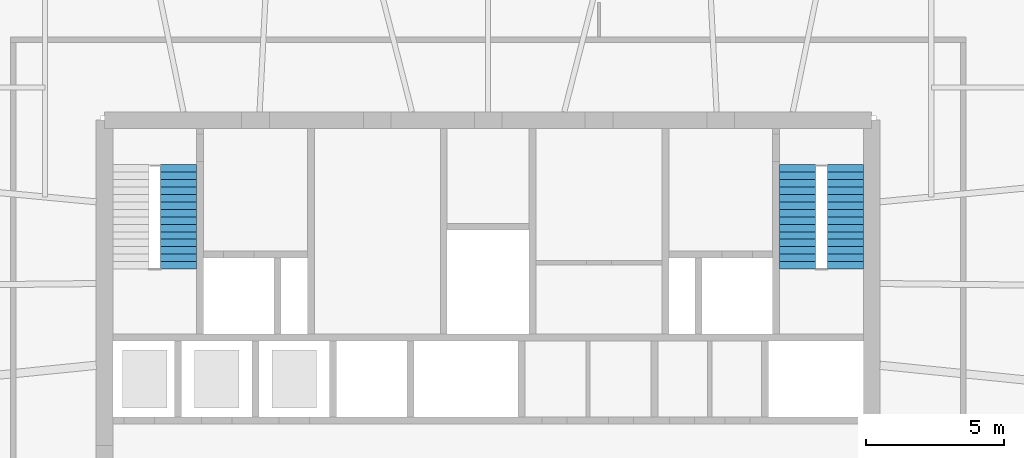
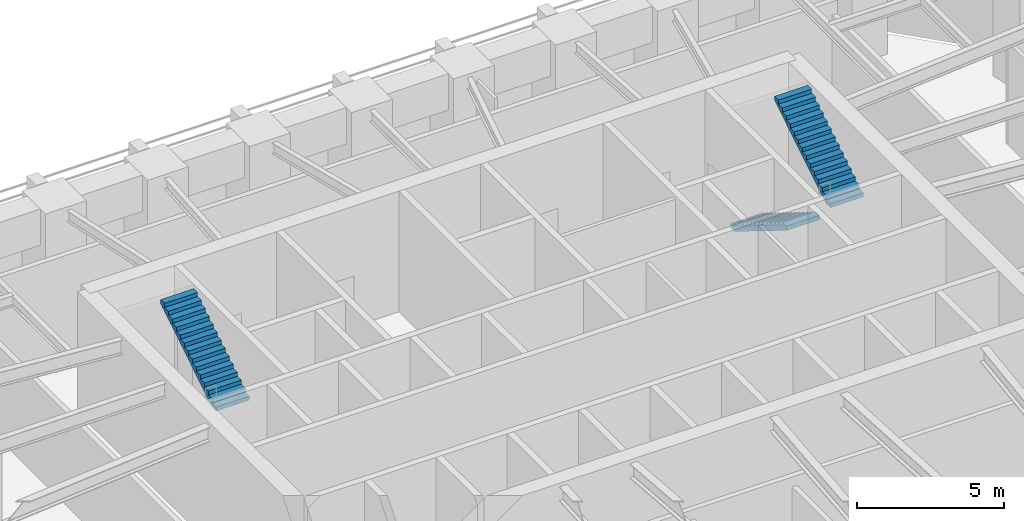
# One storey, part 8 of 11: 3 stair flights, 2 elements without a shape of their own.
"""IFC4 building model written with IfcOpenShell, lengths in metres."""

from ifc_helpers import new_model, si_unit, direction, frame, origin, place, context, subcontext, project, spatial, polyline, outline, extrude, material, type_object, element, aggregate, save


model = new_model("IFC4")

# Units and contexts
model_context = context("Model", 3, precision=1e-05, world=origin(), true_north=direction((0.0, 1.0)))
body_context = subcontext(model_context, "Body", "Model", "MODEL_VIEW")
ifc_project = project(units=[si_unit("LENGTHUNIT", "METRE"), si_unit("AREAUNIT", "SQUARE_METRE"), si_unit("VOLUMEUNIT", "CUBIC_METRE"), si_unit("PLANEANGLEUNIT", "RADIAN"), si_unit("MASSUNIT", "GRAM", prefix="KILO")], contexts=[model_context])

# Site, building, storey
site_placement = place(None, origin())
site = spatial("IfcSite", under=ifc_project, at=site_placement, CompositionType="ELEMENT")
building_placement = place(site_placement, origin())
building = spatial("IfcBuilding", under=site, at=building_placement, Name="Isbrekke Arena Tower", CompositionType="ELEMENT")
storey_placement = place(building_placement, frame((0.0, 0.0, 173.0)))
storey = spatial("IfcBuildingStorey", under=building, at=storey_placement, Name="L39", CompositionType="ELEMENT", Elevation=173.0)

# Stair, stair flight
ifc_material_1 = material(Name="Concrete B45 (C45/55) precast", Category="concrete")
stair_type = type_object("IfcStairType", Name="ST50 STAIR 1300 WIDE, 30 RISERS 167", PredefinedType="HALF_TURN_STAIR", material=ifc_material_1)
stair_1_placement = place(storey_placement, origin())
stair_1 = element("IfcStair", 1, at=stair_1_placement, inside=storey, type_object=stair_type, Name="ST1 stair L39", PredefinedType="HALF_TURN_STAIR")
ifc_material_2 = material(Name="Concrete B45 (C45/55) precast", Category="concrete")
stair_flight_type = type_object("IfcStairFlightType", Name="SF 1300 FLIGHT", PredefinedType="STRAIGHT", material=ifc_material_2)
stair_flight_1_placement = place(storey_placement, frame((-11.175048828125, 18.469970703125, 2.5), z_axis=(0.0, 0.0, 1.0), x_axis=(0.0, 1.0, 0.0)))
stair_flight_1 = element("IfcStairFlight", 2, at=stair_flight_1_placement, type_object=stair_flight_type, Name="ST1 flight 2", NumberOfRisers=15, NumberOfTreads=14, PredefinedType="STRAIGHT", RiserHeight=0.166666667, TreadLength=0.27, context=body_context, shape_type="SweptSolid", body=[
    extrude(outline(polyline([(0.0, 0.0), (0.0, 0.166748046875), (0.27001953125, 0.166748046875), (0.27001953125, 0.333251953125), (0.5400390625, 0.333251953125), (0.5400390625, 0.5), (0.81005859375, 0.5), (0.81005859375, 0.666748046875), (1.080078125, 0.666748046875), (1.080078125, 0.833251953125), (1.35009765625, 0.833251953125), (1.35009765625, 1.0), (1.6201171875, 1.0), (1.6201171875, 1.166748046875), (1.889892578125, 1.166748046875), (1.889892578125, 1.333251953125), (2.159912109375, 1.333251953125), (2.159912109375, 1.5), (2.429931640625, 1.5), (2.429931640625, 1.666748046875), (2.699951171875, 1.666748046875), (2.699951171875, 1.833251953125), (2.969970703125, 1.833251953125), (2.969970703125, 2.0), (3.239990234375, 2.0), (3.239990234375, 2.166748046875), (3.510009765625, 2.166748046875), (3.510009765625, 2.333251953125), (3.780029296875, 2.333251953125), (3.780029296875, 2.5), (3.780029296875, 2.1572265625), (0.285400390625, 0.0), (0.0, 0.0)])), frame((0.0, 0.64990234375, 0.0), z_axis=(0.0, -1.0, 0.0), x_axis=(1.0, 0.0, 0.0)), (0.0, 0.0, 1.0), 1.300048828125),
])
aggregate(stair_1, [stair_flight_1])

# Stair, stair flights
stair_2_placement = place(storey_placement, origin())
stair_2 = element("IfcStair", 3, at=stair_2_placement, inside=storey, type_object=stair_type, Name="ST2 stair L39", PredefinedType="HALF_TURN_STAIR")
stair_flight_2_placement = place(storey_placement, frame((11.175048828125, 22.25, 0.0), z_axis=(0.0, 0.0, 1.0), x_axis=(0.0, -1.0, 0.0)))
stair_flight_2 = element("IfcStairFlight", 4, at=stair_flight_2_placement, type_object=stair_flight_type, Name="ST2 flight 1", NumberOfRisers=15, NumberOfTreads=14, PredefinedType="STRAIGHT", RiserHeight=0.166666667, TreadLength=0.27, context=body_context, shape_type="SweptSolid", body=[
    extrude(outline(polyline([(0.0, 0.0), (0.0, 0.166748046875), (0.27001953125, 0.166748046875), (0.27001953125, 0.333251953125), (0.5400390625, 0.333251953125), (0.5400390625, 0.5), (0.81005859375, 0.5), (0.81005859375, 0.666748046875), (1.080078125, 0.666748046875), (1.080078125, 0.833251953125), (1.35009765625, 0.833251953125), (1.35009765625, 1.0), (1.6201171875, 1.0), (1.6201171875, 1.166748046875), (1.889892578125, 1.166748046875), (1.889892578125, 1.333251953125), (2.159912109375, 1.333251953125), (2.159912109375, 1.5), (2.429931640625, 1.5), (2.429931640625, 1.666748046875), (2.699951171875, 1.666748046875), (2.699951171875, 1.833251953125), (2.969970703125, 1.833251953125), (2.969970703125, 2.0), (3.239990234375, 2.0), (3.239990234375, 2.166748046875), (3.510009765625, 2.166748046875), (3.510009765625, 2.333251953125), (3.780029296875, 2.333251953125), (3.780029296875, 2.5), (3.780029296875, 2.1572265625), (0.285400390625, 0.0), (0.0, 0.0)])), frame((0.0, 0.64990234375, 0.0), z_axis=(0.0, -1.0, 0.0), x_axis=(1.0, 0.0, 0.0)), (0.0, 0.0, 1.0), 1.300048828125),
])
stair_flight_3_placement = place(storey_placement, frame((12.89990234375, 18.469970703125, 2.5), z_axis=(0.0, 0.0, 1.0), x_axis=(0.0, 1.0, 0.0)))
stair_flight_3 = element("IfcStairFlight", 5, at=stair_flight_3_placement, type_object=stair_flight_type, Name="ST2 flight 2", NumberOfRisers=15, NumberOfTreads=14, PredefinedType="STRAIGHT", RiserHeight=0.166666667, TreadLength=0.27, context=body_context, shape_type="SweptSolid", body=[
    extrude(outline(polyline([(0.0, 0.0), (0.0, 0.166748046875), (0.27001953125, 0.166748046875), (0.27001953125, 0.333251953125), (0.5400390625, 0.333251953125), (0.5400390625, 0.5), (0.81005859375, 0.5), (0.81005859375, 0.666748046875), (1.080078125, 0.666748046875), (1.080078125, 0.833251953125), (1.35009765625, 0.833251953125), (1.35009765625, 1.0), (1.6201171875, 1.0), (1.6201171875, 1.166748046875), (1.889892578125, 1.166748046875), (1.889892578125, 1.333251953125), (2.159912109375, 1.333251953125), (2.159912109375, 1.5), (2.429931640625, 1.5), (2.429931640625, 1.666748046875), (2.699951171875, 1.666748046875), (2.699951171875, 1.833251953125), (2.969970703125, 1.833251953125), (2.969970703125, 2.0), (3.239990234375, 2.0), (3.239990234375, 2.166748046875), (3.510009765625, 2.166748046875), (3.510009765625, 2.333251953125), (3.780029296875, 2.333251953125), (3.780029296875, 2.5), (3.780029296875, 2.1572265625), (0.285400390625, 0.0), (0.0, 0.0)])), frame((0.0, 0.64990234375, 0.0), z_axis=(0.0, -1.0, 0.0), x_axis=(1.0, 0.0, 0.0)), (0.0, 0.0, 1.0), 1.300048828125),
])
aggregate(stair_2, [stair_flight_2, stair_flight_3])

save(model, "model.ifc")
